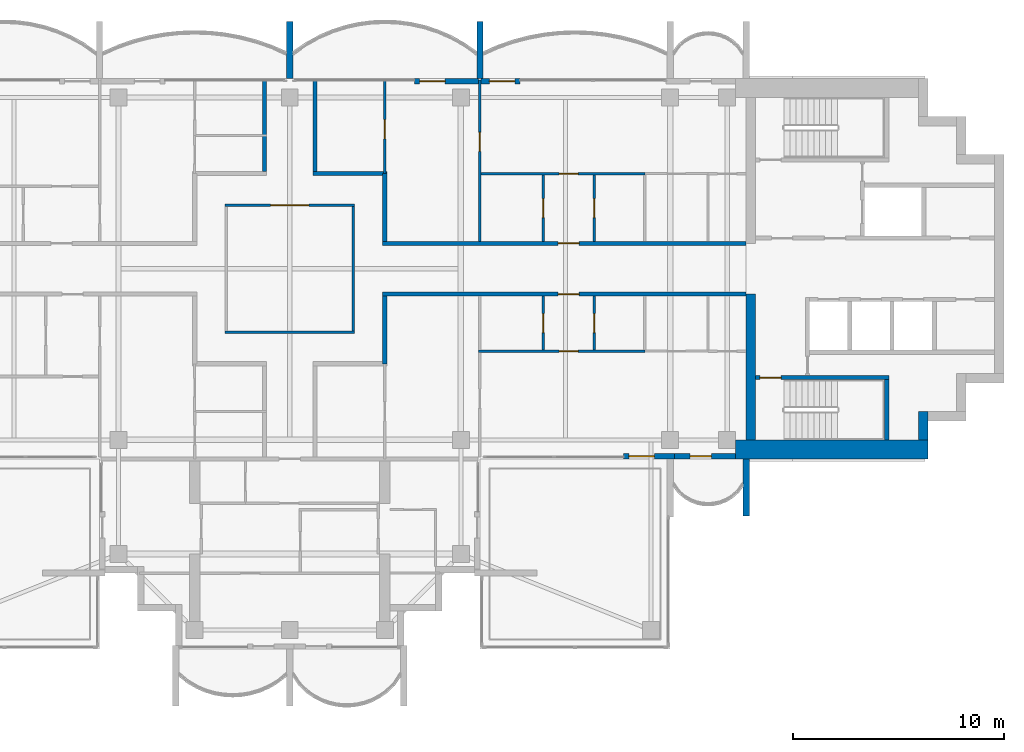
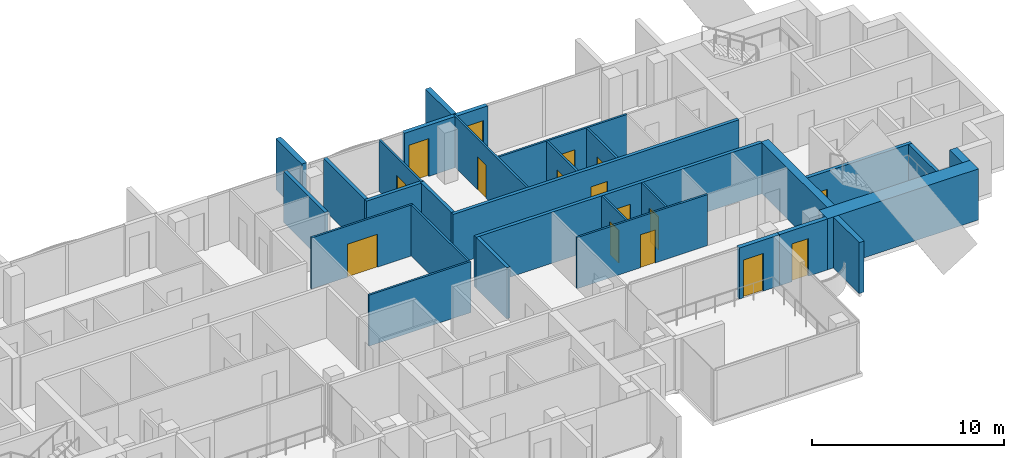
# One storey, part 10 of 16: 30 walls, 16 doors, 16 openings.
"""IFC4 building model written with IfcOpenShell, lengths in metres."""

from ifc_helpers import new_model, si_unit, direction, frame, frame_2d, origin, place, context, subcontext, project, spatial, rectangle, extrude, material, layer, layer_set, type_object, element, fill, save


model = new_model("IFC4")

# Units and contexts
model_context = context("Model", 3, precision=1e-05, world=origin(), true_north=direction((0.0, 1.0)))
body_context = subcontext(model_context, "Body", "Model", "MODEL_VIEW")
ifc_project = project(units=[si_unit("LENGTHUNIT", "METRE"), si_unit("AREAUNIT", "SQUARE_METRE"), si_unit("VOLUMEUNIT", "CUBIC_METRE"), si_unit("PLANEANGLEUNIT", "RADIAN"), si_unit("MASSUNIT", "GRAM", prefix="KILO")], contexts=[model_context])

# Site, building, storey
site_placement = place(None, origin())
site = spatial("IfcSite", under=ifc_project, at=site_placement, CompositionType="ELEMENT")
building_placement = place(site_placement, origin())
building = spatial("IfcBuilding", under=site, at=building_placement, Name="Perihelion Cross Residences", CompositionType="ELEMENT")
storey_placement = place(building_placement, frame((0.0, 0.0, 250.0)))
storey = spatial("IfcBuildingStorey", under=building, at=storey_placement, Name="L63", CompositionType="ELEMENT", Elevation=250.0)

# Wall, opening, door
ifc_material_1 = material(Name="Plasterboard partition")
ifc_layer_1 = layer(ifc_material_1, 0.199951171875)
ifc_layer_set_1 = layer_set([ifc_layer_1], Name="Apartment separation wall 200")
wall_type_1 = type_object("IfcWallType", Name="Apartment separation wall 200", PredefinedType="PARTITIONING", material=ifc_layer_set_1)
wall_1_placement = place(storey_placement, frame((4.39990234375, 1.199951171875, 0.0), z_axis=(0.0, 0.0, 1.0), x_axis=(1.0, 0.0, 0.0)))
wall_1 = element("IfcWall", 1, at=wall_1_placement, inside=storey, type_object=wall_type_1, Name="Partition L63 W005", PredefinedType="PARTITIONING", context=body_context, shape_type="SweptSolid", body=[
    extrude(rectangle(XDim=17.2001953125, YDim=0.199951171875, at=frame_2d((8.60009765625, 0.0))), origin(), (0.0, 0.0, 1.0), 3.25),
])
opening_1_placement = place(wall_1_placement, frame((8.300048828125, 0.0, 0.0)))
opening_1 = element("IfcOpeningElement", 2, at=opening_1_placement, cuts=wall_1, Name="Opening L63.A38", PredefinedType="OPENING", context=body_context, shape_type="SweptSolid", body=[
    extrude(rectangle(XDim=1.0, YDim=2.10009765625, at=frame_2d((0.5, 1.050048828125))), frame((0.0, 0.10986328125, 0.0), z_axis=(0.0, -1.0, 0.0), x_axis=(1.0, 0.0, 0.0)), (0.0, 0.0, 1.0), 0.219970703125),
])
ifc_material_2 = material(Name="Timber door leaf", Category="wood")
door_type_1 = type_object("IfcDoorType", Name="Flat entrance door 1000 x 2100", OperationType="SINGLE_SWING_LEFT", PredefinedType="DOOR", material=ifc_material_2)
door_1_placement = place(opening_1_placement, origin())
door_1 = element("IfcDoor", 3, at=door_1_placement, inside=storey, type_object=door_type_1, Name="Door L63.A38", OperationType="SINGLE_SWING_LEFT", OverallHeight=2.10009765625, OverallWidth=1.0, PredefinedType="DOOR", context=body_context, shape_type="SweptSolid", body=[
    extrude(rectangle(XDim=1.0, YDim=2.10009765625, at=frame_2d((0.5, 1.050048828125))), frame((0.0, 0.02490234375, 0.0), z_axis=(0.0, -1.0, 0.0), x_axis=(1.0, 0.0, 0.0)), (0.0, 0.0, 1.0), 0.050048828125),
])
fill(opening_1, door_1)

# Walls
wall_2_placement = place(storey_placement, frame((4.5, 4.5, 0.0), z_axis=(0.0, 0.0, 1.0), x_axis=(0.0, -1.0, 0.0)))
element("IfcWall", 4, at=wall_2_placement, inside=storey, type_object=wall_type_1, Name="Partition L63 W006", PredefinedType="PARTITIONING", context=body_context, shape_type="SweptSolid", body=[
    extrude(rectangle(XDim=3.199951171875, YDim=0.199951171875, at=frame_2d((1.60009765625, 0.0))), origin(), (0.0, 0.0, 1.0), 3.25),
])
wall_3_placement = place(storey_placement, frame((1.199951171875, 8.919921875, 0.0), z_axis=(0.0, 0.0, 1.0), x_axis=(0.0, -1.0, 0.0)))
element("IfcWall", 5, at=wall_3_placement, inside=storey, type_object=wall_type_1, Name="Partition L63 W007", PredefinedType="PARTITIONING", context=body_context, shape_type="SweptSolid", body=[
    extrude(rectangle(XDim=4.31982421875, YDim=0.199951171875, at=frame_2d((2.159912109375, 0.0))), origin(), (0.0, 0.0, 1.0), 3.25),
])
wall_4_placement = place(storey_placement, frame((1.10009765625, 4.5, 0.0), z_axis=(0.0, 0.0, 1.0), x_axis=(1.0, 0.0, 0.0)))
element("IfcWall", 6, at=wall_4_placement, inside=storey, type_object=wall_type_1, Name="Partition L63 W008", PredefinedType="PARTITIONING", context=body_context, shape_type="SweptSolid", body=[
    extrude(rectangle(XDim=3.5, YDim=0.199951171875, at=frame_2d((1.75, 0.0))), origin(), (0.0, 0.0, 1.0), 3.25),
])

# Wall, opening, door
wall_5_placement = place(storey_placement, frame((21.60009765625, -1.199951171875, 0.0), z_axis=(0.0, 0.0, 1.0), x_axis=(-1.0, 0.0, 0.0)))
wall_5 = element("IfcWall", 7, at=wall_5_placement, inside=storey, type_object=wall_type_1, Name="Partition L63 W009", PredefinedType="PARTITIONING", context=body_context, shape_type="SweptSolid", body=[
    extrude(rectangle(XDim=17.2001953125, YDim=0.199951171875, at=frame_2d((8.60009765625, 0.0))), origin(), (0.0, 0.0, 1.0), 3.25),
])
opening_2_placement = place(wall_5_placement, frame((7.89990234375, 0.0, 0.0)))
opening_2 = element("IfcOpeningElement", 8, at=opening_2_placement, cuts=wall_5, Name="Opening L63.A39", PredefinedType="OPENING", context=body_context, shape_type="SweptSolid", body=[
    extrude(rectangle(XDim=1.0, YDim=2.10009765625, at=frame_2d((0.5, 1.050048828125))), frame((0.0, 0.10986328125, 0.0), z_axis=(0.0, -1.0, 0.0), x_axis=(1.0, 0.0, 0.0)), (0.0, 0.0, 1.0), 0.219970703125),
])
door_2_placement = place(opening_2_placement, origin())
door_2 = element("IfcDoor", 9, at=door_2_placement, inside=storey, type_object=door_type_1, Name="Door L63.A39", OperationType="SINGLE_SWING_LEFT", OverallHeight=2.10009765625, OverallWidth=1.0, PredefinedType="DOOR", context=body_context, shape_type="SweptSolid", body=[
    extrude(rectangle(XDim=1.0, YDim=2.10009765625, at=frame_2d((0.5, 1.050048828125))), frame((0.0, 0.02490234375, 0.0), z_axis=(0.0, -1.0, 0.0), x_axis=(1.0, 0.0, 0.0)), (0.0, 0.0, 1.0), 0.050048828125),
])
fill(opening_2, door_2)

# Walls
wall_6_placement = place(storey_placement, frame((4.5, -1.300048828125, 0.0), z_axis=(0.0, 0.0, 1.0), x_axis=(0.0, -1.0, 0.0)))
element("IfcWall", 10, at=wall_6_placement, inside=storey, type_object=wall_type_1, Name="Partition L63 W010", PredefinedType="PARTITIONING", context=body_context, shape_type="SweptSolid", body=[
    extrude(rectangle(XDim=3.199951171875, YDim=0.199951171875, at=frame_2d((1.60009765625, 0.0))), origin(), (0.0, 0.0, 1.0), 3.25),
])
wall_7_placement = place(storey_placement, frame((-1.199951171875, 4.60009765625, 0.0), z_axis=(0.0, 0.0, 1.0), x_axis=(0.0, 1.0, 0.0)))
element("IfcWall", 11, at=wall_7_placement, inside=storey, type_object=wall_type_1, Name="Partition L63 W016", PredefinedType="PARTITIONING", context=body_context, shape_type="SweptSolid", body=[
    extrude(rectangle(XDim=4.31982421875, YDim=0.199951171875, at=frame_2d((2.159912109375, 0.0))), origin(), (0.0, 0.0, 1.0), 3.25),
])

# Wall, opening, door
ifc_material_3 = material(Name="Concrete C30/37, bronze-clad", Category="concrete")
ifc_layer_2 = layer(ifc_material_3, 0.25)
ifc_layer_set_2 = layer_set([ifc_layer_2], Name="Bronze-clad pier wall 250")
wall_type_2 = type_object("IfcWallType", Name="Bronze-clad pier wall 250", PredefinedType="SOLIDWALL", material=ifc_layer_set_2)
wall_8_placement = place(storey_placement, frame((10.89990234375, 8.875, 0.0), z_axis=(0.0, 0.0, 1.0), x_axis=(-1.0, 0.0, 0.0)))
wall_8 = element("IfcWall", 12, at=wall_8_placement, inside=storey, type_object=wall_type_2, Name="Wall FW1 L63 east side north bay 2 pier", PredefinedType="SOLIDWALL", context=body_context, shape_type="SweptSolid", body=[
    extrude(rectangle(XDim=1.83984375, YDim=0.25, at=frame_2d((0.919921875, 0.0))), origin(), (0.0, 0.0, 1.0), 3.25),
])
opening_3_placement = place(wall_8_placement, frame((0.25, 0.0, 0.0)))
opening_3 = element("IfcOpeningElement", 13, at=opening_3_placement, cuts=wall_8, Name="Opening L63.E02", PredefinedType="OPENING", context=body_context, shape_type="SweptSolid", body=[
    extrude(rectangle(XDim=1.199951171875, YDim=2.39990234375, at=frame_2d((0.60009765625, 1.199951171875))), frame((0.0, 0.135009765625, 0.0), z_axis=(0.0, -1.0, 0.0), x_axis=(1.0, 0.0, 0.0)), (0.0, 0.0, 1.0), 0.27001953125),
])
ifc_material_4 = material(Name="Bronze anodised aluminium, glazed", Category="aluminium")
door_type_2 = type_object("IfcDoorType", Name="Balcony door 1200 x 2400", OperationType="NOTDEFINED", PredefinedType="DOOR", material=ifc_material_4)
door_3_placement = place(opening_3_placement, origin())
door_3 = element("IfcDoor", 14, at=door_3_placement, inside=storey, type_object=door_type_2, Name="Door L63.E02 east side north bay 2", OperationType="SINGLE_SWING_RIGHT", OverallHeight=2.39990234375, OverallWidth=1.199951171875, PredefinedType="DOOR", context=body_context, shape_type="SweptSolid", body=[
    extrude(rectangle(XDim=1.199951171875, YDim=2.39990234375, at=frame_2d((0.60009765625, 1.199951171875))), frame((0.0, 0.02490234375, 0.0), z_axis=(0.0, -1.0, 0.0), x_axis=(1.0, 0.0, 0.0)), (0.0, 0.0, 1.0), 0.050048828125),
])
fill(opening_3, door_3)

wall_9_placement = place(storey_placement, frame((8.93994140625, 8.875, 0.0), z_axis=(0.0, 0.0, 1.0), x_axis=(-1.0, 0.0, 0.0)))
wall_9 = element("IfcWall", 15, at=wall_9_placement, inside=storey, type_object=wall_type_2, Name="Wall FW1 L63 north side east bay 1 pier", PredefinedType="SOLIDWALL", context=body_context, shape_type="SweptSolid", body=[
    extrude(rectangle(XDim=3.0400390625, YDim=0.25, at=frame_2d((1.52001953125, 0.0))), origin(), (0.0, 0.0, 1.0), 3.25),
])
opening_4_placement = place(wall_9_placement, frame((1.590087890625, 0.0, 0.0)))
opening_4 = element("IfcOpeningElement", 16, at=opening_4_placement, cuts=wall_9, Name="Opening L63.E03", PredefinedType="OPENING", context=body_context, shape_type="SweptSolid", body=[
    extrude(rectangle(XDim=1.199951171875, YDim=2.39990234375, at=frame_2d((0.60009765625, 1.199951171875))), frame((0.0, 0.135009765625, 0.0), z_axis=(0.0, -1.0, 0.0), x_axis=(1.0, 0.0, 0.0)), (0.0, 0.0, 1.0), 0.27001953125),
])
door_4_placement = place(opening_4_placement, origin())
door_4 = element("IfcDoor", 17, at=door_4_placement, inside=storey, type_object=door_type_2, Name="Door L63.E03 north side east bay 1", OperationType="SINGLE_SWING_LEFT", OverallHeight=2.39990234375, OverallWidth=1.199951171875, PredefinedType="DOOR", context=body_context, shape_type="SweptSolid", body=[
    extrude(rectangle(XDim=1.199951171875, YDim=2.39990234375, at=frame_2d((0.60009765625, 1.199951171875))), frame((0.0, 0.02490234375, 0.0), z_axis=(0.0, -1.0, 0.0), x_axis=(1.0, 0.0, 0.0)), (0.0, 0.0, 1.0), 0.050048828125),
])
fill(opening_4, door_4)

wall_10_placement = place(storey_placement, frame((15.800048828125, -8.875, 0.0), z_axis=(0.0, 0.0, 1.0), x_axis=(1.0, 0.0, 0.0)))
wall_10 = element("IfcWall", 18, at=wall_10_placement, inside=storey, type_object=wall_type_2, Name="Wall FW1 L63 east side south bay 1 pier", PredefinedType="SOLIDWALL", context=body_context, shape_type="SweptSolid", body=[
    extrude(rectangle(XDim=2.39990234375, YDim=0.25, at=frame_2d((1.199951171875, 0.0))), origin(), (0.0, 0.0, 1.0), 3.25),
])
opening_5_placement = place(wall_10_placement, frame((0.25, 0.0, 0.0)))
opening_5 = element("IfcOpeningElement", 19, at=opening_5_placement, cuts=wall_10, Name="Opening L63.E13", PredefinedType="OPENING", context=body_context, shape_type="SweptSolid", body=[
    extrude(rectangle(XDim=1.199951171875, YDim=2.39990234375, at=frame_2d((0.60009765625, 1.199951171875))), frame((0.0, 0.135009765625, 0.0), z_axis=(0.0, -1.0, 0.0), x_axis=(1.0, 0.0, 0.0)), (0.0, 0.0, 1.0), 0.27001953125),
])
door_5_placement = place(opening_5_placement, origin())
door_5 = element("IfcDoor", 20, at=door_5_placement, inside=storey, type_object=door_type_2, Name="Door L63.E13 east side south bay 1", OperationType="SINGLE_SWING_LEFT", OverallHeight=2.39990234375, OverallWidth=1.199951171875, PredefinedType="DOOR", context=body_context, shape_type="SweptSolid", body=[
    extrude(rectangle(XDim=1.199951171875, YDim=2.39990234375, at=frame_2d((0.60009765625, 1.199951171875))), frame((0.0, 0.02490234375, 0.0), z_axis=(0.0, -1.0, 0.0), x_axis=(1.0, 0.0, 0.0)), (0.0, 0.0, 1.0), 0.050048828125),
])
fill(opening_5, door_5)

wall_11_placement = place(storey_placement, frame((18.199951171875, -8.875, 0.0), z_axis=(0.0, 0.0, 1.0), x_axis=(1.0, 0.0, 0.0)))
wall_11 = element("IfcWall", 21, at=wall_11_placement, inside=storey, type_object=wall_type_2, Name="Wall FW1 L63 east side south bay 2 pier", PredefinedType="SOLIDWALL", context=body_context, shape_type="SweptSolid", body=[
    extrude(rectangle(XDim=2.900146484375, YDim=0.25, at=frame_2d((1.4501953125, 0.0))), origin(), (0.0, 0.0, 1.0), 3.25),
])
opening_6_placement = place(wall_11_placement, frame((0.75, 0.0, 0.0)))
opening_6 = element("IfcOpeningElement", 22, at=opening_6_placement, cuts=wall_11, Name="Opening L63.E14", PredefinedType="OPENING", context=body_context, shape_type="SweptSolid", body=[
    extrude(rectangle(XDim=1.0, YDim=2.39990234375, at=frame_2d((0.5, 1.199951171875))), frame((0.0, 0.135009765625, 0.0), z_axis=(0.0, -1.0, 0.0), x_axis=(1.0, 0.0, 0.0)), (0.0, 0.0, 1.0), 0.27001953125),
])
ifc_material_5 = material(Name="Bronze anodised aluminium, glazed", Category="aluminium")
door_type_3 = type_object("IfcDoorType", Name="Balcony door 1000 x 2400", OperationType="NOTDEFINED", PredefinedType="DOOR", material=ifc_material_5)
door_6_placement = place(opening_6_placement, origin())
door_6 = element("IfcDoor", 23, at=door_6_placement, inside=storey, type_object=door_type_3, Name="Door L63.E14 east side south bay 2", OperationType="SINGLE_SWING_RIGHT", OverallHeight=2.39990234375, OverallWidth=1.0, PredefinedType="DOOR", context=body_context, shape_type="SweptSolid", body=[
    extrude(rectangle(XDim=1.0, YDim=2.39990234375, at=frame_2d((0.5, 1.199951171875))), frame((0.0, 0.02490234375, 0.0), z_axis=(0.0, -1.0, 0.0), x_axis=(1.0, 0.0, 0.0)), (0.0, 0.0, 1.0), 0.050048828125),
])
fill(opening_6, door_6)

# Walls
ifc_material_6 = material(Name="Concrete C60/75", Category="concrete")
ifc_layer_3 = layer(ifc_material_6, 0.449951171875)
ifc_layer_set_3 = layer_set([ifc_layer_3], Name="Core wall, inner 450")
wall_type_3 = type_object("IfcWallType", Name="Core wall, inner 450", PredefinedType="SHEAR", material=ifc_layer_set_3)
wall_12_placement = place(storey_placement, frame((21.824951171875, -8.10009765625, 0.0), z_axis=(0.0, 0.0, 1.0), x_axis=(0.0, 1.0, 0.0)))
element("IfcWall", 24, at=wall_12_placement, inside=storey, type_object=wall_type_3, Name="East core core wall, inner", PredefinedType="SHEAR", context=body_context, shape_type="SweptSolid", body=[
    extrude(rectangle(XDim=6.900146484375, YDim=0.449951171875, at=frame_2d((3.4501953125, 0.0))), origin(), (0.0, 0.0, 1.0), 3.25),
])
ifc_material_7 = material(Name="Concrete C60/75", Category="concrete")
ifc_layer_4 = layer(ifc_material_7, 0.449951171875)
ifc_layer_set_4 = layer_set([ifc_layer_4], Name="Core wall, outer 450")
wall_type_4 = type_object("IfcWallType", Name="Core wall, outer 450", PredefinedType="SHEAR", material=ifc_layer_set_4)
wall_13_placement = place(storey_placement, frame((29.97509765625, -8.10009765625, 0.0), z_axis=(0.0, 0.0, 1.0), x_axis=(0.0, 1.0, 0.0)))
element("IfcWall", 25, at=wall_13_placement, inside=storey, type_object=wall_type_4, Name="East core core wall, outer", PredefinedType="SHEAR", context=body_context, shape_type="SweptSolid", body=[
    extrude(rectangle(XDim=1.35009765625, YDim=0.449951171875, at=frame_2d((0.675048828125, 0.0))), origin(), (0.0, 0.0, 1.0), 3.25),
])
ifc_material_8 = material(Name="Concrete C60/75", Category="concrete")
ifc_layer_5 = layer(ifc_material_8, 0.89990234375)
ifc_layer_set_5 = layer_set([ifc_layer_5], Name="Core wall, outer 900")
wall_type_5 = type_object("IfcWallType", Name="Core wall, outer 900", PredefinedType="SHEAR", material=ifc_layer_set_5)
wall_14_placement = place(storey_placement, frame((21.10009765625, -8.550048828125, 0.0), z_axis=(0.0, 0.0, 1.0), x_axis=(1.0, 0.0, 0.0)))
element("IfcWall", 26, at=wall_14_placement, inside=storey, type_object=wall_type_5, Name="East core core wall, outer", PredefinedType="SHEAR", context=body_context, shape_type="SweptSolid", body=[
    extrude(rectangle(XDim=9.099853515625, YDim=0.89990234375, at=frame_2d((4.5498046875, 0.0))), origin(), (0.0, 0.0, 1.0), 3.25),
])
ifc_material_9 = material(Name="Plasterboard partition")
ifc_layer_6 = layer(ifc_material_9, 0.1201171875)
ifc_layer_set_6 = layer_set([ifc_layer_6], Name="Partition wall 120")
wall_type_6 = type_object("IfcWallType", Name="Partition wall 120", PredefinedType="PARTITIONING", material=ifc_layer_set_6)
wall_15_placement = place(storey_placement, frame((-3.06005859375, -3.0, 0.0), z_axis=(0.0, 0.0, 1.0), x_axis=(1.0, 0.0, 0.0)))
element("IfcWall", 27, at=wall_15_placement, inside=storey, type_object=wall_type_6, Name="Partition L63 W001", PredefinedType="PARTITIONING", context=body_context, shape_type="SweptSolid", body=[
    extrude(rectangle(XDim=6.1201171875, YDim=0.1201171875, at=frame_2d((3.06005859375, 0.0))), origin(), (0.0, 0.0, 1.0), 3.25),
])
wall_16_placement = place(storey_placement, frame((3.0, -2.93994140625, 0.0), z_axis=(0.0, 0.0, 1.0), x_axis=(0.0, 1.0, 0.0)))
element("IfcWall", 28, at=wall_16_placement, inside=storey, type_object=wall_type_6, Name="Partition L63 W002", PredefinedType="PARTITIONING", context=body_context, shape_type="SweptSolid", body=[
    extrude(rectangle(XDim=5.8798828125, YDim=0.1201171875, at=frame_2d((2.93994140625, 0.0))), origin(), (0.0, 0.0, 1.0), 3.25),
])

# Wall, opening, door
wall_17_placement = place(storey_placement, frame((3.06005859375, 3.0, 0.0), z_axis=(0.0, 0.0, 1.0), x_axis=(-1.0, 0.0, 0.0)))
wall_17 = element("IfcWall", 29, at=wall_17_placement, inside=storey, type_object=wall_type_6, Name="Partition L63 W003", PredefinedType="PARTITIONING", context=body_context, shape_type="SweptSolid", body=[
    extrude(rectangle(XDim=6.1201171875, YDim=0.1201171875, at=frame_2d((3.06005859375, 0.0))), origin(), (0.0, 0.0, 1.0), 3.25),
])
opening_7_placement = place(wall_17_placement, frame((2.159912109375, 0.0, 0.0)))
opening_7 = element("IfcOpeningElement", 30, at=opening_7_placement, cuts=wall_17, Name="Opening L63.A01", PredefinedType="OPENING", context=body_context, shape_type="SweptSolid", body=[
    extrude(rectangle(XDim=1.800048828125, YDim=2.10009765625, at=frame_2d((0.89990234375, 1.050048828125))), frame((0.0, 0.070068359375, 0.0), z_axis=(0.0, -1.0, 0.0), x_axis=(1.0, 0.0, 0.0)), (0.0, 0.0, 1.0), 0.14013671875),
])
ifc_material_10 = material(Name="Glazed timber door leaf", Category="wood")
door_type_4 = type_object("IfcDoorType", Name="Interior double leaf door 1800 x 2100", OperationType="DOUBLE_DOOR_SINGLE_SWING", PredefinedType="DOOR", material=ifc_material_10)
door_7_placement = place(opening_7_placement, origin())
door_7 = element("IfcDoor", 31, at=door_7_placement, inside=storey, type_object=door_type_4, Name="Door L63.A01", OperationType="SINGLE_SWING_LEFT", OverallHeight=2.10009765625, OverallWidth=1.800048828125, PredefinedType="DOOR", context=body_context, shape_type="SweptSolid", body=[
    extrude(rectangle(XDim=1.800048828125, YDim=2.10009765625, at=frame_2d((0.89990234375, 1.050048828125))), frame((0.0, 0.02490234375, 0.0), z_axis=(0.0, -1.0, 0.0), x_axis=(1.0, 0.0, 0.0)), (0.0, 0.0, 1.0), 0.050048828125),
])
fill(opening_7, door_7)

wall_18_placement = place(storey_placement, frame((12.0, 4.43994140625, 0.0), z_axis=(0.0, 0.0, 1.0), x_axis=(0.0, -1.0, 0.0)))
wall_18 = element("IfcWall", 32, at=wall_18_placement, inside=storey, type_object=wall_type_6, Name="Partition L63 W022", PredefinedType="PARTITIONING", context=body_context, shape_type="SweptSolid", body=[
    extrude(rectangle(XDim=3.139892578125, YDim=0.1201171875, at=frame_2d((1.56982421875, 0.0))), origin(), (0.0, 0.0, 1.0), 3.25),
])
opening_8_placement = place(wall_18_placement, frame((1.1201171875, 0.0, 0.0)))
opening_8 = element("IfcOpeningElement", 33, at=opening_8_placement, cuts=wall_18, Name="Opening L63.A04", PredefinedType="OPENING", context=body_context, shape_type="SweptSolid", body=[
    extrude(rectangle(XDim=0.89990234375, YDim=2.10009765625, at=frame_2d((0.449951171875, 1.050048828125))), frame((0.0, 0.070068359375, 0.0), z_axis=(0.0, -1.0, 0.0), x_axis=(1.0, 0.0, 0.0)), (0.0, 0.0, 1.0), 0.14013671875),
])
ifc_material_11 = material(Name="Timber door leaf", Category="wood")
door_type_5 = type_object("IfcDoorType", Name="Interior room door 900 x 2100", OperationType="SINGLE_SWING_LEFT", PredefinedType="DOOR", material=ifc_material_11)
door_8_placement = place(opening_8_placement, origin())
door_8 = element("IfcDoor", 34, at=door_8_placement, inside=storey, type_object=door_type_5, Name="Door L63.A04", OperationType="SINGLE_SWING_RIGHT", OverallHeight=2.10009765625, OverallWidth=0.89990234375, PredefinedType="DOOR", context=body_context, shape_type="SweptSolid", body=[
    extrude(rectangle(XDim=0.89990234375, YDim=2.10009765625, at=frame_2d((0.449951171875, 1.050048828125))), frame((0.0, 0.02490234375, 0.0), z_axis=(0.0, -1.0, 0.0), x_axis=(1.0, 0.0, 0.0)), (0.0, 0.0, 1.0), 0.050048828125),
])
fill(opening_8, door_8)

wall_19_placement = place(storey_placement, frame((8.93994140625, 4.5, 0.0), z_axis=(0.0, 0.0, 1.0), x_axis=(1.0, 0.0, 0.0)))
wall_19 = element("IfcWall", 35, at=wall_19_placement, inside=storey, type_object=wall_type_6, Name="Partition L63 W023", PredefinedType="PARTITIONING", context=body_context, shape_type="SweptSolid", body=[
    extrude(rectangle(XDim=7.860107421875, YDim=0.1201171875, at=frame_2d((3.93017578125, 0.0))), origin(), (0.0, 0.0, 1.0), 3.25),
])
opening_9_placement = place(wall_19_placement, frame((3.81005859375, 0.0, 0.0)))
opening_9 = element("IfcOpeningElement", 36, at=opening_9_placement, cuts=wall_19, Name="Opening L63.A06", PredefinedType="OPENING", context=body_context, shape_type="SweptSolid", body=[
    extrude(rectangle(XDim=0.89990234375, YDim=2.10009765625, at=frame_2d((0.449951171875, 1.050048828125))), frame((0.0, 0.070068359375, 0.0), z_axis=(0.0, -1.0, 0.0), x_axis=(1.0, 0.0, 0.0)), (0.0, 0.0, 1.0), 0.14013671875),
])
door_9_placement = place(opening_9_placement, origin())
door_9 = element("IfcDoor", 37, at=door_9_placement, inside=storey, type_object=door_type_5, Name="Door L63.A06", OperationType="SINGLE_SWING_RIGHT", OverallHeight=2.10009765625, OverallWidth=0.89990234375, PredefinedType="DOOR", context=body_context, shape_type="SweptSolid", body=[
    extrude(rectangle(XDim=0.89990234375, YDim=2.10009765625, at=frame_2d((0.449951171875, 1.050048828125))), frame((0.0, 0.02490234375, 0.0), z_axis=(0.0, -1.0, 0.0), x_axis=(1.0, 0.0, 0.0)), (0.0, 0.0, 1.0), 0.050048828125),
])
fill(opening_9, door_9)

wall_20_placement = place(storey_placement, frame((9.0, 1.300048828125, 0.0), z_axis=(0.0, 0.0, 1.0), x_axis=(0.0, 1.0, 0.0)))
wall_20 = element("IfcWall", 38, at=wall_20_placement, inside=storey, type_object=wall_type_6, Name="Partition L63 W024", PredefinedType="PARTITIONING", context=body_context, shape_type="SweptSolid", body=[
    extrude(rectangle(XDim=7.619873046875, YDim=0.1201171875, at=frame_2d((3.81005859375, 0.0))), origin(), (0.0, 0.0, 1.0), 3.25),
])
opening_10_placement = place(wall_20_placement, frame((4.25, 0.0, 0.0)))
opening_10 = element("IfcOpeningElement", 39, at=opening_10_placement, cuts=wall_20, Name="Opening L63.A07", PredefinedType="OPENING", context=body_context, shape_type="SweptSolid", body=[
    extrude(rectangle(XDim=0.89990234375, YDim=2.10009765625, at=frame_2d((0.449951171875, 1.050048828125))), frame((0.0, 0.070068359375, 0.0), z_axis=(0.0, -1.0, 0.0), x_axis=(1.0, 0.0, 0.0)), (0.0, 0.0, 1.0), 0.14013671875),
])
door_10_placement = place(opening_10_placement, origin())
door_10 = element("IfcDoor", 40, at=door_10_placement, inside=storey, type_object=door_type_5, Name="Door L63.A07", OperationType="SINGLE_SWING_LEFT", OverallHeight=2.10009765625, OverallWidth=0.89990234375, PredefinedType="DOOR", context=body_context, shape_type="SweptSolid", body=[
    extrude(rectangle(XDim=0.89990234375, YDim=2.10009765625, at=frame_2d((0.449951171875, 1.050048828125))), frame((0.0, 0.02490234375, 0.0), z_axis=(0.0, -1.0, 0.0), x_axis=(1.0, 0.0, 0.0)), (0.0, 0.0, 1.0), 0.050048828125),
])
fill(opening_10, door_10)

wall_21_placement = place(storey_placement, frame((14.39990234375, 4.43994140625, 0.0), z_axis=(0.0, 0.0, 1.0), x_axis=(0.0, -1.0, 0.0)))
wall_21 = element("IfcWall", 41, at=wall_21_placement, inside=storey, type_object=wall_type_6, Name="Partition L63 W025", PredefinedType="PARTITIONING", context=body_context, shape_type="SweptSolid", body=[
    extrude(rectangle(XDim=3.139892578125, YDim=0.1201171875, at=frame_2d((1.56982421875, 0.0))), origin(), (0.0, 0.0, 1.0), 3.25),
])
opening_11_placement = place(wall_21_placement, frame((1.1201171875, 0.0, 0.0)))
opening_11 = element("IfcOpeningElement", 42, at=opening_11_placement, cuts=wall_21, Name="Opening L63.A08", PredefinedType="OPENING", context=body_context, shape_type="SweptSolid", body=[
    extrude(rectangle(XDim=0.89990234375, YDim=2.10009765625, at=frame_2d((0.449951171875, 1.050048828125))), frame((0.0, 0.070068359375, 0.0), z_axis=(0.0, -1.0, 0.0), x_axis=(1.0, 0.0, 0.0)), (0.0, 0.0, 1.0), 0.14013671875),
])
door_11_placement = place(opening_11_placement, origin())
door_11 = element("IfcDoor", 43, at=door_11_placement, inside=storey, type_object=door_type_5, Name="Door L63.A08", OperationType="SINGLE_SWING_LEFT", OverallHeight=2.10009765625, OverallWidth=0.89990234375, PredefinedType="DOOR", context=body_context, shape_type="SweptSolid", body=[
    extrude(rectangle(XDim=0.89990234375, YDim=2.10009765625, at=frame_2d((0.449951171875, 1.050048828125))), frame((0.0, 0.02490234375, 0.0), z_axis=(0.0, -1.0, 0.0), x_axis=(1.0, 0.0, 0.0)), (0.0, 0.0, 1.0), 0.050048828125),
])
fill(opening_11, door_11)

wall_22_placement = place(storey_placement, frame((4.5, 4.5, 0.0), z_axis=(0.0, 0.0, 1.0), x_axis=(0.0, 1.0, 0.0)))
wall_22 = element("IfcWall", 44, at=wall_22_placement, inside=storey, type_object=wall_type_6, Name="Partition L63 W030", PredefinedType="PARTITIONING", context=body_context, shape_type="SweptSolid", body=[
    extrude(rectangle(XDim=4.419921875, YDim=0.1201171875, at=frame_2d((2.2099609375, 0.0))), origin(), (0.0, 0.0, 1.0), 3.25),
])
opening_12_placement = place(wall_22_placement, frame((1.64990234375, 0.0, 0.0)))
opening_12 = element("IfcOpeningElement", 45, at=opening_12_placement, cuts=wall_22, Name="Opening L63.A03", PredefinedType="OPENING", context=body_context, shape_type="SweptSolid", body=[
    extrude(rectangle(XDim=0.89990234375, YDim=2.10009765625, at=frame_2d((0.449951171875, 1.050048828125))), frame((0.0, 0.070068359375, 0.0), z_axis=(0.0, -1.0, 0.0), x_axis=(1.0, 0.0, 0.0)), (0.0, 0.0, 1.0), 0.14013671875),
])
door_12_placement = place(opening_12_placement, origin())
door_12 = element("IfcDoor", 46, at=door_12_placement, inside=storey, type_object=door_type_5, Name="Door L63.A03", OperationType="SINGLE_SWING_LEFT", OverallHeight=2.10009765625, OverallWidth=0.89990234375, PredefinedType="DOOR", context=body_context, shape_type="SweptSolid", body=[
    extrude(rectangle(XDim=0.89990234375, YDim=2.10009765625, at=frame_2d((0.449951171875, 1.050048828125))), frame((0.0, 0.02490234375, 0.0), z_axis=(0.0, -1.0, 0.0), x_axis=(1.0, 0.0, 0.0)), (0.0, 0.0, 1.0), 0.050048828125),
])
fill(opening_12, door_12)

wall_23_placement = place(storey_placement, frame((12.0, -1.300048828125, 0.0), z_axis=(0.0, 0.0, 1.0), x_axis=(0.0, -1.0, 0.0)))
wall_23 = element("IfcWall", 47, at=wall_23_placement, inside=storey, type_object=wall_type_6, Name="Partition L63 W031", PredefinedType="PARTITIONING", context=body_context, shape_type="SweptSolid", body=[
    extrude(rectangle(XDim=2.5400390625, YDim=0.1201171875, at=frame_2d((1.27001953125, 0.0))), origin(), (0.0, 0.0, 1.0), 3.25),
])
opening_13_placement = place(wall_23_placement, frame((0.820068359375, 0.0, 0.0)))
opening_13 = element("IfcOpeningElement", 48, at=opening_13_placement, cuts=wall_23, Name="Opening L63.A11", PredefinedType="OPENING", context=body_context, shape_type="SweptSolid", body=[
    extrude(rectangle(XDim=0.89990234375, YDim=2.10009765625, at=frame_2d((0.449951171875, 1.050048828125))), frame((0.0, 0.070068359375, 0.0), z_axis=(0.0, -1.0, 0.0), x_axis=(1.0, 0.0, 0.0)), (0.0, 0.0, 1.0), 0.14013671875),
])
door_13_placement = place(opening_13_placement, origin())
door_13 = element("IfcDoor", 49, at=door_13_placement, inside=storey, type_object=door_type_5, Name="Door L63.A11", OperationType="SINGLE_SWING_RIGHT", OverallHeight=2.10009765625, OverallWidth=0.89990234375, PredefinedType="DOOR", context=body_context, shape_type="SweptSolid", body=[
    extrude(rectangle(XDim=0.89990234375, YDim=2.10009765625, at=frame_2d((0.449951171875, 1.050048828125))), frame((0.0, 0.02490234375, 0.0), z_axis=(0.0, -1.0, 0.0), x_axis=(1.0, 0.0, 0.0)), (0.0, 0.0, 1.0), 0.050048828125),
])
fill(opening_13, door_13)

wall_24_placement = place(storey_placement, frame((16.800048828125, -3.89990234375, 0.0), z_axis=(0.0, 0.0, 1.0), x_axis=(-1.0, 0.0, 0.0)))
wall_24 = element("IfcWall", 50, at=wall_24_placement, inside=storey, type_object=wall_type_6, Name="Partition L63 W032", PredefinedType="PARTITIONING", context=body_context, shape_type="SweptSolid", body=[
    extrude(rectangle(XDim=7.860107421875, YDim=0.1201171875, at=frame_2d((3.93017578125, 0.0))), origin(), (0.0, 0.0, 1.0), 3.25),
])
opening_14_placement = place(wall_24_placement, frame((3.14990234375, 0.0, 0.0)))
opening_14 = element("IfcOpeningElement", 51, at=opening_14_placement, cuts=wall_24, Name="Opening L63.A13", PredefinedType="OPENING", context=body_context, shape_type="SweptSolid", body=[
    extrude(rectangle(XDim=0.89990234375, YDim=2.10009765625, at=frame_2d((0.449951171875, 1.050048828125))), frame((0.0, 0.070068359375, 0.0), z_axis=(0.0, -1.0, 0.0), x_axis=(1.0, 0.0, 0.0)), (0.0, 0.0, 1.0), 0.14013671875),
])
door_14_placement = place(opening_14_placement, origin())
door_14 = element("IfcDoor", 52, at=door_14_placement, inside=storey, type_object=door_type_5, Name="Door L63.A13", OperationType="SINGLE_SWING_RIGHT", OverallHeight=2.10009765625, OverallWidth=0.89990234375, PredefinedType="DOOR", context=body_context, shape_type="SweptSolid", body=[
    extrude(rectangle(XDim=0.89990234375, YDim=2.10009765625, at=frame_2d((0.449951171875, 1.050048828125))), frame((0.0, 0.02490234375, 0.0), z_axis=(0.0, -1.0, 0.0), x_axis=(1.0, 0.0, 0.0)), (0.0, 0.0, 1.0), 0.050048828125),
])
fill(opening_14, door_14)

wall_25_placement = place(storey_placement, frame((14.39990234375, -1.300048828125, 0.0), z_axis=(0.0, 0.0, 1.0), x_axis=(0.0, -1.0, 0.0)))
wall_25 = element("IfcWall", 53, at=wall_25_placement, inside=storey, type_object=wall_type_6, Name="Partition L63 W034", PredefinedType="PARTITIONING", context=body_context, shape_type="SweptSolid", body=[
    extrude(rectangle(XDim=2.5400390625, YDim=0.1201171875, at=frame_2d((1.27001953125, 0.0))), origin(), (0.0, 0.0, 1.0), 3.25),
])
opening_15_placement = place(wall_25_placement, frame((0.820068359375, 0.0, 0.0)))
opening_15 = element("IfcOpeningElement", 54, at=opening_15_placement, cuts=wall_25, Name="Opening L63.A15", PredefinedType="OPENING", context=body_context, shape_type="SweptSolid", body=[
    extrude(rectangle(XDim=0.89990234375, YDim=2.10009765625, at=frame_2d((0.449951171875, 1.050048828125))), frame((0.0, 0.070068359375, 0.0), z_axis=(0.0, -1.0, 0.0), x_axis=(1.0, 0.0, 0.0)), (0.0, 0.0, 1.0), 0.14013671875),
])
door_15_placement = place(opening_15_placement, origin())
door_15 = element("IfcDoor", 55, at=door_15_placement, inside=storey, type_object=door_type_5, Name="Door L63.A15", OperationType="SINGLE_SWING_LEFT", OverallHeight=2.10009765625, OverallWidth=0.89990234375, PredefinedType="DOOR", context=body_context, shape_type="SweptSolid", body=[
    extrude(rectangle(XDim=0.89990234375, YDim=2.10009765625, at=frame_2d((0.449951171875, 1.050048828125))), frame((0.0, 0.02490234375, 0.0), z_axis=(0.0, -1.0, 0.0), x_axis=(1.0, 0.0, 0.0)), (0.0, 0.0, 1.0), 0.050048828125),
])
fill(opening_15, door_15)

# Walls
ifc_material_12 = material(Name="Precast concrete C50/60", Category="concrete")
ifc_layer_7 = layer(ifc_material_12, 0.300048828125)
ifc_layer_set_7 = layer_set([ifc_layer_7], Name="Precast concrete C50/60 blade wall 300")
wall_type_7 = type_object("IfcWallType", Name="Precast concrete C50/60 blade wall 300", PredefinedType="SOLIDWALL", material=ifc_layer_set_7)
for number, where, z_axis, x_axis, name in (
    (56, (0.0, 9.0, 0.0), (0.0, 0.0, 1.0), (0.0, 1.0, 0.0), "Wall BL1 L63 no. 9"),
    (57, (9.0, 9.0, 0.0), (0.0, 0.0, 1.0), (0.0, 1.0, 0.0), "Wall BL1 L63 no. 16"),
    (58, (21.60009765625, -9.0, 0.0), (0.0, 0.0, 1.0), (0.0, -1.0, 0.0), "Wall BL1 L63 no. 12"),
):
    element("IfcWall", number, at=place(storey_placement, frame(where, z_axis=z_axis, x_axis=x_axis)), inside=storey, type_object=wall_type_7, Name=name, PredefinedType="SOLIDWALL", context=body_context, shape_type="SweptSolid", body=[
        extrude(rectangle(XDim=2.699951171875, YDim=0.300048828125, at=frame_2d((1.35009765625, 0.0))), origin(), (0.0, 0.0, 1.0), 3.25),
    ])

# Wall, opening, door
ifc_material_13 = material(Name="Concrete C50/60", Category="concrete")
ifc_layer_8 = layer(ifc_material_13, 0.199951171875)
ifc_layer_set_8 = layer_set([ifc_layer_8], Name="Stair wall 200")
wall_type_8 = type_object("IfcWallType", Name="Stair wall 200", PredefinedType="SOLIDWALL", material=ifc_layer_set_8)
wall_26_placement = place(storey_placement, frame((22.050048828125, -5.14990234375, 0.0), z_axis=(0.0, 0.0, 1.0), x_axis=(1.0, 0.0, 0.0)))
wall_26 = element("IfcWall", 59, at=wall_26_placement, inside=storey, type_object=wall_type_8, Name="East core stair wall", PredefinedType="SOLIDWALL", context=body_context, shape_type="SweptSolid", body=[
    extrude(rectangle(XDim=6.300048828125, YDim=0.199951171875, at=frame_2d((3.14990234375, 0.0))), origin(), (0.0, 0.0, 1.0), 3.25),
])
opening_16_placement = place(wall_26_placement, frame((0.199951171875, 0.0, 0.0)))
opening_16 = element("IfcOpeningElement", 60, at=opening_16_placement, cuts=wall_26, Name="Opening L63.C05", PredefinedType="OPENING", context=body_context, shape_type="SweptSolid", body=[
    extrude(rectangle(XDim=1.0, YDim=2.10009765625, at=frame_2d((0.5, 1.050048828125))), frame((0.0, 0.10986328125, 0.0), z_axis=(0.0, -1.0, 0.0), x_axis=(1.0, 0.0, 0.0)), (0.0, 0.0, 1.0), 0.219970703125),
])
ifc_material_14 = material(Name="Steel, powder coated", Category="steel")
door_type_6 = type_object("IfcDoorType", Name="Stair door 1000", OperationType="SINGLE_SWING_LEFT", PredefinedType="DOOR", material=ifc_material_14)
door_16_placement = place(opening_16_placement, origin())
door_16 = element("IfcDoor", 61, at=door_16_placement, inside=storey, type_object=door_type_6, Name="East core stair door", OperationType="SINGLE_SWING_LEFT", OverallHeight=2.10009765625, OverallWidth=1.0, PredefinedType="DOOR", context=body_context, shape_type="SweptSolid", body=[
    extrude(rectangle(XDim=1.0, YDim=2.10009765625, at=frame_2d((0.5, 1.050048828125))), frame((0.0, 0.02490234375, 0.0), z_axis=(0.0, -1.0, 0.0), x_axis=(1.0, 0.0, 0.0)), (0.0, 0.0, 1.0), 0.050048828125),
])
fill(opening_16, door_16)

# Wall
wall_27_placement = place(storey_placement, frame((28.25, -8.10009765625, 0.0), z_axis=(0.0, 0.0, 1.0), x_axis=(0.0, 1.0, 0.0)))
element("IfcWall", 62, at=wall_27_placement, inside=storey, type_object=wall_type_8, Name="East core stair wall", PredefinedType="SOLIDWALL", context=body_context, shape_type="SweptSolid", body=[
    extrude(rectangle(XDim=2.85009765625, YDim=0.199951171875, at=frame_2d((1.425048828125, 0.0))), origin(), (0.0, 0.0, 1.0), 3.25),
])

save(model, "model.ifc")
